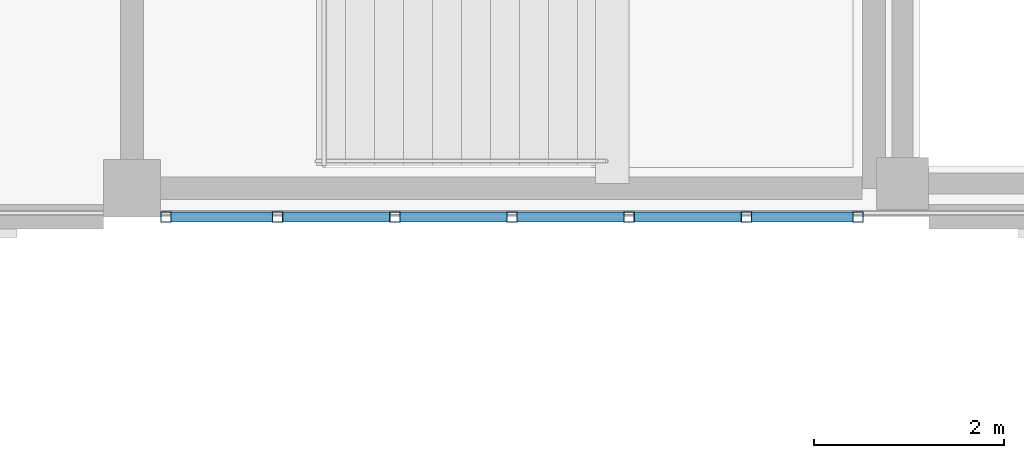
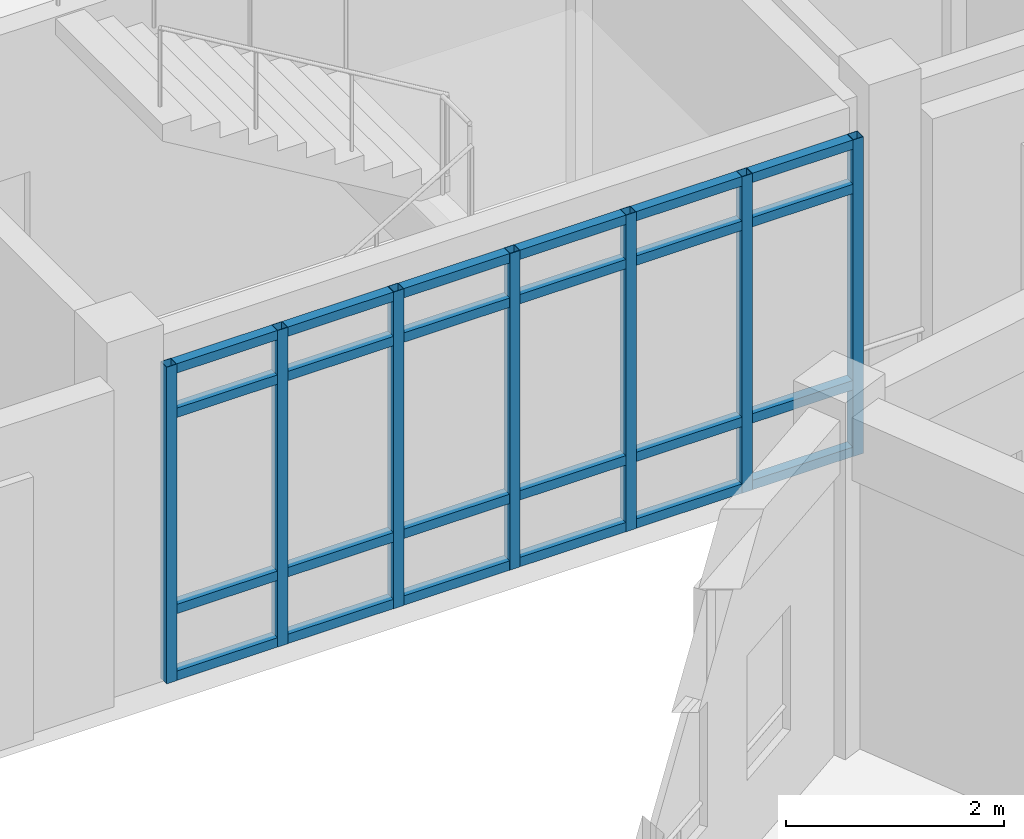
# One storey, part 20 of 159: 31 members, 1 element without a shape of its own.
"""IFC4 building model written with IfcOpenShell, lengths in metres."""

import ifcopenshell
import ifcopenshell.guid

model = None  # the IFC model being written
_history = None  # IfcOwnerHistory: only IFC2X3 demands one
_inside = {}  # id of a spatial element -> (the spatial element, [elements in it])
_under = {}  # id of a project, library or spatial element -> (it, [spatial elements below it])
_declared = {}  # id of a project -> (the project, [libraries it declares])
_typed = {}  # id of a type object -> (the type object, [elements of that type])
_made_of = {}  # id of a material, layer set ... -> (it, [elements and type objects made of it])


def new_model(schema):
    """Start an empty IFC model of exactly this schema.

    Asked for "IFC4X3", IfcOpenShell would pick the latest addendum, in which some entities
    have other attributes; the version numbers below select the first issue.
    IFC2X3 requires an IfcOwnerHistory on every rooted entity: one is made here for all.
    """
    global model, _history
    if schema == "IFC4X3":
        model = ifcopenshell.file(schema_version=(4, 3, 0, 0))
    else:
        model = ifcopenshell.file(schema=schema)
    _inside.clear()
    _under.clear()
    _declared.clear()
    _typed.clear()
    _made_of.clear()
    _history = None
    if model.schema == "IFC2X3":
        org = make("IfcOrganization", Name="unknown")
        user = make(
            "IfcPersonAndOrganization",
            ThePerson=make("IfcPerson", FamilyName="unknown"),
            TheOrganization=org,
        )
        app = make(
            "IfcApplication",
            ApplicationDeveloper=org,
            Version="unknown",
            ApplicationFullName="unknown",
            ApplicationIdentifier="unknown",
        )
        _history = make(
            "IfcOwnerHistory",
            OwningUser=user,
            OwningApplication=app,
            ChangeAction="ADDED",
            CreationDate=0,
        )
    return model


def make(cls, **values):
    """One entity of the class cls with the attributes given. An attribute that is None is left unset."""
    return model.create_entity(
        cls, **{name: value for name, value in values.items() if value is not None}
    )


def rooted(cls, **values):
    """An entity with a GlobalId (a new one), such as an element, a storey or a relation."""
    return make(cls, GlobalId=ifcopenshell.guid.new(), OwnerHistory=_history, **values)


def si_unit(unit_type, name, prefix=None):
    """IfcSIUnit, for example si_unit("LENGTHUNIT", "METRE", prefix="MILLI")."""
    return make("IfcSIUnit", UnitType=unit_type, Prefix=prefix, Name=name)


def assignment(units):
    """IfcUnitAssignment: the units of a project."""
    return None if units is None else make("IfcUnitAssignment", Units=units)


def point(xyz):
    """IfcCartesianPoint."""
    return None if xyz is None else make("IfcCartesianPoint", Coordinates=xyz)


def direction(xyz):
    """IfcDirection."""
    return None if xyz is None else make("IfcDirection", DirectionRatios=xyz)


def frame(location, z_axis=None, x_axis=None):
    """IfcAxis2Placement3D, a coordinate frame: its origin and axes. An axis left out is left unset."""
    return make(
        "IfcAxis2Placement3D",
        Location=point(location),
        Axis=direction(z_axis),
        RefDirection=direction(x_axis),
    )


def frame_2d(location, x_axis=None):
    """IfcAxis2Placement2D, a coordinate frame in the plane: its origin and x axis."""
    return make(
        "IfcAxis2Placement2D", Location=point(location), RefDirection=direction(x_axis)
    )


def origin():
    """The frame at (0, 0, 0) with its axes left unset."""
    return frame((0.0, 0.0, 0.0))


def origin_2d():
    """The frame at (0, 0) in the plane with its x axis left unset."""
    return frame_2d((0.0, 0.0))


def place(relative_to, where):
    """IfcLocalPlacement: puts the frame where relative to a parent placement (None: the world)."""
    return make(
        "IfcLocalPlacement", PlacementRelTo=relative_to, RelativePlacement=where
    )


def context(
    kind, dimensions, precision=None, world=None, true_north=None, identifier=None
):
    """IfcGeometricRepresentationContext, for example the 3D "Model" context."""
    return make(
        "IfcGeometricRepresentationContext",
        ContextIdentifier=identifier,
        ContextType=kind,
        CoordinateSpaceDimension=dimensions,
        Precision=precision,
        WorldCoordinateSystem=world,
        TrueNorth=true_north,
    )


def subcontext(parent, identifier, kind, view, scale=None):
    """IfcGeometricRepresentationSubContext, for example "Body" below "Model"."""
    return make(
        "IfcGeometricRepresentationSubContext",
        ContextIdentifier=identifier,
        ContextType=kind,
        ParentContext=parent,
        TargetScale=scale,
        TargetView=view,
    )


def project(units=None, contexts=None):
    """IfcProject with its units and contexts."""
    return rooted(
        "IfcProject",
        Name="project",
        RepresentationContexts=contexts,
        UnitsInContext=assignment(units),
    )


def spatial(cls, under=None, at=None, **own):
    """A site, building, storey or space (cls), placed at a placement, below another one or the project."""
    s = rooted(cls, ObjectPlacement=at, **own)
    if under is not None:
        _under.setdefault(under.id(), (under, []))[1].append(s)
    return s


def profile(cls, at=None, kind="AREA", **sizes):
    """A parametric profile (cls). Its sizes go by their IFC names, for example OverallWidth=200.0."""
    return make(cls, ProfileType=kind, Position=at, **sizes)


def hollow_rectangle(**sizes):
    """IfcRectangleHollowProfileDef."""
    return profile("IfcRectangleHollowProfileDef", **sizes)


def extrude(swept, where, along, depth):
    """IfcExtrudedAreaSolid: the profile swept, set in the frame where, extruded along a direction by depth."""
    return make(
        "IfcExtrudedAreaSolid",
        SweptArea=swept,
        Position=where,
        ExtrudedDirection=direction(along),
        Depth=depth,
    )


def shape(context_of_items, identifier, shape_type, items):
    """IfcShapeRepresentation: the items that make up one representation, for example the "Body"."""
    return make(
        "IfcShapeRepresentation",
        ContextOfItems=context_of_items,
        RepresentationIdentifier=identifier,
        RepresentationType=shape_type,
        Items=items,
    )


def material(Name=None, Category=None):
    """IfcMaterial."""
    return make("IfcMaterial", Name=Name, Category=Category)


def material_profile(
    of_material, cross_section, Name=None, Category=None, Priority=None
):
    """IfcMaterialProfile: a cross section and its material."""
    return make(
        "IfcMaterialProfile",
        Name=Name,
        Material=of_material,
        Profile=cross_section,
        Priority=Priority,
        Category=Category,
    )


def profile_set(profiles, Name=None, composite=None):
    """IfcMaterialProfileSet."""
    return make(
        "IfcMaterialProfileSet",
        Name=Name,
        MaterialProfiles=profiles,
        CompositeProfile=composite,
    )


def made_of(thing, what):
    """Note that an element or type object is made of a material, layer set ...; save() writes the relation."""
    if what is not None:
        _made_of.setdefault(what.id(), (what, []))[1].append(thing)
    return thing


def type_object(cls, material=None, **own):
    """A type object (cls), such as IfcWallType, which elements share."""
    return made_of(rooted(cls, **own), material)


def element(
    cls,
    number,
    at=None,
    inside=None,
    cuts=None,
    type_object=None,
    material=None,
    context=None,
    identifier="Body",
    shape_type=None,
    held_by="IfcProductDefinitionShape",
    body=None,
    shapes=None,
    **own,
):
    """One element of the class cls, such as IfcWall. Its Tag is "e" and its number.

    at: its placement. inside: the storey or other place that contains it. cuts: it is an
    opening in that element (IfcRelVoidsElement). A single representation is given by context,
    identifier, shape_type and body (its items); several are given by shapes. held_by: the class
    of the entity that holds the representations. save() writes the other relations.
    """
    e = rooted(cls, Tag="e%d" % number, ObjectPlacement=at, **own)
    if body is not None:
        shapes = [shape(context, identifier, shape_type, body)]
    if shapes is not None:
        e.Representation = make(held_by, Representations=shapes)
    if inside is not None:
        _inside.setdefault(inside.id(), (inside, []))[1].append(e)
    if cuts is not None:
        rooted(
            "IfcRelVoidsElement", RelatingBuildingElement=cuts, RelatedOpeningElement=e
        )
    if type_object is not None:
        _typed.setdefault(type_object.id(), (type_object, []))[1].append(e)
    return made_of(e, material)


def aggregate(whole, parts):
    """IfcRelAggregates: a whole, such as a stair, and the parts it consists of."""
    return rooted("IfcRelAggregates", RelatingObject=whole, RelatedObjects=parts)


def save(model, path):
    """Write the relations noted so far, then the file.

    IfcRelAggregates (storeys below a building ...), IfcRelContainedInSpatialStructure (elements
    in a storey), IfcRelDefinesByType, IfcRelAssociatesMaterial and IfcRelDeclares: one each for
    every whole, place, type object, material and project.
    """
    for whole, parts in _under.values():
        aggregate(whole, parts)
    for where, things in _inside.values():
        rooted(
            "IfcRelContainedInSpatialStructure",
            RelatedElements=things,
            RelatingStructure=where,
        )
    for kind, things in _typed.values():
        rooted("IfcRelDefinesByType", RelatedObjects=things, RelatingType=kind)
    for what, things in _made_of.values():
        rooted("IfcRelAssociatesMaterial", RelatedObjects=things, RelatingMaterial=what)
    for by, libraries in _declared.values():
        rooted("IfcRelDeclares", RelatingContext=by, RelatedDefinitions=libraries)
    model.write(path)


model = new_model("IFC4")

# Units and contexts
model_context = context("Model", 3, precision=1e-05, world=origin(), true_north=direction((0.0, 1.0)))
body_context = subcontext(model_context, "Body", "Model", "MODEL_VIEW")
ifc_project = project(units=[si_unit("LENGTHUNIT", "METRE"), si_unit("AREAUNIT", "SQUARE_METRE"), si_unit("VOLUMEUNIT", "CUBIC_METRE"), si_unit("PLANEANGLEUNIT", "RADIAN"), si_unit("MASSUNIT", "GRAM", prefix="KILO")], contexts=[model_context])

# Site, building, storey
site_placement = place(None, origin())
site = spatial("IfcSite", under=ifc_project, at=site_placement, CompositionType="ELEMENT")
building_placement = place(site_placement, origin())
building = spatial("IfcBuilding", under=site, at=building_placement, Name="Celadon Cloister-Ring School", CompositionType="ELEMENT")
storey_placement = place(building_placement, frame((0.0, 0.0, 4.5)))
storey = spatial("IfcBuildingStorey", under=building, at=storey_placement, Name="L01", CompositionType="ELEMENT", Elevation=4.5)

# Curtain wall, members
ifc_material_1 = material(Name="Aluminium EN AW-6063 T6", Category="aluminium")
curtain_wall_type = type_object("IfcCurtainWallType", Name="CW-13", PredefinedType="USERDEFINED", material=ifc_material_1)
curtain_wall_placement = place(storey_placement, origin())
curtain_wall = element("IfcCurtainWall", 1, at=curtain_wall_placement, inside=storey, type_object=curtain_wall_type, Name="Curtain Wall 0198", ObjectType="CURTAIN WALL", PredefinedType="USERDEFINED")
ifc_material_2 = material(Name="Aluminium EN AW-6063 T6", Category="aluminium")
ifc_material_profile_1 = material_profile(ifc_material_2, hollow_rectangle(XDim=0.110107421875, YDim=0.110107421875, WallThickness=0.0048828125, at=origin_2d()), Name="RHS110X110X5")
ifc_profile_set_1 = profile_set([ifc_material_profile_1], Name="Aluminium EN AW-6063 T6")
member_type_1 = type_object("IfcMemberType", Name="CM-01", PredefinedType="MULLION", material=ifc_profile_set_1)
member_1_placement = place(storey_placement, frame((15.885009765625, 40.0, 0.0), z_axis=(0.0, 0.0, 1.0), x_axis=(0.0, -1.0, 0.0)))
member_1 = element("IfcMember", 2, at=member_1_placement, type_object=member_type_1, Name="CW-13 mullion 1", PredefinedType="MULLION", context=body_context, shape_type="SweptSolid", body=[
    extrude(hollow_rectangle(XDim=0.110107421875, YDim=0.110107421875, WallThickness=0.0048828125, at=origin_2d()), origin(), (0.0, 0.0, 1.0), 3.550048828125),
])
member_2_placement = place(storey_placement, frame((14.708251953125, 40.0, 0.0), z_axis=(0.0, 0.0, 1.0), x_axis=(0.0, -1.0, 0.0)))
member_2 = element("IfcMember", 3, at=member_2_placement, type_object=member_type_1, Name="CW-13 mullion 2", PredefinedType="MULLION", context=body_context, shape_type="SweptSolid", body=[
    extrude(hollow_rectangle(XDim=0.110107421875, YDim=0.110107421875, WallThickness=0.0048828125, at=origin_2d()), origin(), (0.0, 0.0, 1.0), 3.550048828125),
])
member_3_placement = place(storey_placement, frame((13.4765625, 40.0, 0.0), z_axis=(0.0, 0.0, 1.0), x_axis=(0.0, -1.0, 0.0)))
member_3 = element("IfcMember", 4, at=member_3_placement, type_object=member_type_1, Name="CW-13 mullion 3", PredefinedType="MULLION", context=body_context, shape_type="SweptSolid", body=[
    extrude(hollow_rectangle(XDim=0.110107421875, YDim=0.110107421875, WallThickness=0.0048828125, at=origin_2d()), origin(), (0.0, 0.0, 1.0), 3.550048828125),
])
member_4_placement = place(storey_placement, frame((12.2451171875, 40.0, 0.0), z_axis=(0.0, 0.0, 1.0), x_axis=(0.0, -1.0, 0.0)))
member_4 = element("IfcMember", 5, at=member_4_placement, type_object=member_type_1, Name="CW-13 mullion 4", PredefinedType="MULLION", context=body_context, shape_type="SweptSolid", body=[
    extrude(hollow_rectangle(XDim=0.110107421875, YDim=0.110107421875, WallThickness=0.0048828125, at=origin_2d()), origin(), (0.0, 0.0, 1.0), 3.550048828125),
])
member_5_placement = place(storey_placement, frame((11.013427734375, 40.0, 0.0), z_axis=(0.0, 0.0, 1.0), x_axis=(0.0, -1.0, 0.0)))
member_5 = element("IfcMember", 6, at=member_5_placement, type_object=member_type_1, Name="CW-13 mullion 5", PredefinedType="MULLION", context=body_context, shape_type="SweptSolid", body=[
    extrude(hollow_rectangle(XDim=0.110107421875, YDim=0.110107421875, WallThickness=0.0048828125, at=origin_2d()), origin(), (0.0, 0.0, 1.0), 3.550048828125),
])
member_6_placement = place(storey_placement, frame((9.78173828125, 40.0, 0.0), z_axis=(0.0, 0.0, 1.0), x_axis=(0.0, -1.0, 0.0)))
member_6 = element("IfcMember", 7, at=member_6_placement, type_object=member_type_1, Name="CW-13 mullion 6", PredefinedType="MULLION", context=body_context, shape_type="SweptSolid", body=[
    extrude(hollow_rectangle(XDim=0.110107421875, YDim=0.110107421875, WallThickness=0.0048828125, at=origin_2d()), origin(), (0.0, 0.0, 1.0), 3.550048828125),
])
member_7_placement = place(storey_placement, frame((8.60498046875, 40.0, 0.0), z_axis=(0.0, 0.0, 1.0), x_axis=(0.0, -1.0, 0.0)))
member_7 = element("IfcMember", 8, at=member_7_placement, type_object=member_type_1, Name="CW-13 mullion 7", PredefinedType="MULLION", context=body_context, shape_type="SweptSolid", body=[
    extrude(hollow_rectangle(XDim=0.110107421875, YDim=0.110107421875, WallThickness=0.0048828125, at=origin_2d()), origin(), (0.0, 0.0, 1.0), 3.550048828125),
])
ifc_material_3 = material(Name="Aluminium EN AW-6063 T6", Category="aluminium")
ifc_material_profile_2 = material_profile(ifc_material_3, hollow_rectangle(XDim=0.10498046875, YDim=0.10498046875, WallThickness=0.0048828125, at=origin_2d()), Name="RHS105X105X5")
ifc_profile_set_2 = profile_set([ifc_material_profile_2], Name="Aluminium EN AW-6063 T6")
member_type_2 = type_object("IfcMemberType", Name="CTM-01", PredefinedType="USERDEFINED", material=ifc_profile_set_2)
member_8_placement = place(storey_placement, frame((15.830078125, 40.0, 0.052490234375), z_axis=(-1.0, 0.0, 0.0), x_axis=(0.0, -1.0, 0.0)))
member_8 = element("IfcMember", 9, at=member_8_placement, type_object=member_type_2, Name="CW-13 transom 1.1", ObjectType="TRANSOM", PredefinedType="USERDEFINED", context=body_context, shape_type="SweptSolid", body=[
    extrude(hollow_rectangle(XDim=0.10498046875, YDim=0.10498046875, WallThickness=0.0048828125, at=origin_2d()), origin(), (0.0, 0.0, 1.0), 1.066650390625),
])
member_9_placement = place(storey_placement, frame((15.830078125, 40.0, 0.800048828125), z_axis=(-1.0, 0.0, 0.0), x_axis=(0.0, -1.0, 0.0)))
member_9 = element("IfcMember", 10, at=member_9_placement, type_object=member_type_2, Name="CW-13 transom 1.2", ObjectType="TRANSOM", PredefinedType="USERDEFINED", context=body_context, shape_type="SweptSolid", body=[
    extrude(hollow_rectangle(XDim=0.10498046875, YDim=0.10498046875, WallThickness=0.0048828125, at=origin_2d()), origin(), (0.0, 0.0, 1.0), 1.066650390625),
])
member_10_placement = place(storey_placement, frame((15.830078125, 40.0, 3.0), z_axis=(-1.0, 0.0, 0.0), x_axis=(0.0, -1.0, 0.0)))
member_10 = element("IfcMember", 11, at=member_10_placement, type_object=member_type_2, Name="CW-13 transom 1.3", ObjectType="TRANSOM", PredefinedType="USERDEFINED", context=body_context, shape_type="SweptSolid", body=[
    extrude(hollow_rectangle(XDim=0.10498046875, YDim=0.10498046875, WallThickness=0.0048828125, at=origin_2d()), origin(), (0.0, 0.0, 1.0), 1.066650390625),
])
member_11_placement = place(storey_placement, frame((15.830078125, 40.0, 3.49755859375), z_axis=(-1.0, 0.0, 0.0), x_axis=(0.0, -1.0, 0.0)))
member_11 = element("IfcMember", 12, at=member_11_placement, type_object=member_type_2, Name="CW-13 transom 1.4", ObjectType="TRANSOM", PredefinedType="USERDEFINED", context=body_context, shape_type="SweptSolid", body=[
    extrude(hollow_rectangle(XDim=0.10498046875, YDim=0.10498046875, WallThickness=0.0048828125, at=origin_2d()), origin(), (0.0, 0.0, 1.0), 1.066650390625),
])
member_12_placement = place(storey_placement, frame((14.6533203125, 40.0, 0.052490234375), z_axis=(-1.0, 0.0, 0.0), x_axis=(0.0, -1.0, 0.0)))
member_12 = element("IfcMember", 13, at=member_12_placement, type_object=member_type_2, Name="CW-13 transom 2.1", ObjectType="TRANSOM", PredefinedType="USERDEFINED", context=body_context, shape_type="SweptSolid", body=[
    extrude(hollow_rectangle(XDim=0.10498046875, YDim=0.10498046875, WallThickness=0.0048828125, at=origin_2d()), origin(), (0.0, 0.0, 1.0), 1.12158203125),
])
member_13_placement = place(storey_placement, frame((14.6533203125, 40.0, 0.800048828125), z_axis=(-1.0, 0.0, 0.0), x_axis=(0.0, -1.0, 0.0)))
member_13 = element("IfcMember", 14, at=member_13_placement, type_object=member_type_2, Name="CW-13 transom 2.2", ObjectType="TRANSOM", PredefinedType="USERDEFINED", context=body_context, shape_type="SweptSolid", body=[
    extrude(hollow_rectangle(XDim=0.10498046875, YDim=0.10498046875, WallThickness=0.0048828125, at=origin_2d()), origin(), (0.0, 0.0, 1.0), 1.12158203125),
])
member_14_placement = place(storey_placement, frame((14.6533203125, 40.0, 3.0), z_axis=(-1.0, 0.0, 0.0), x_axis=(0.0, -1.0, 0.0)))
member_14 = element("IfcMember", 15, at=member_14_placement, type_object=member_type_2, Name="CW-13 transom 2.3", ObjectType="TRANSOM", PredefinedType="USERDEFINED", context=body_context, shape_type="SweptSolid", body=[
    extrude(hollow_rectangle(XDim=0.10498046875, YDim=0.10498046875, WallThickness=0.0048828125, at=origin_2d()), origin(), (0.0, 0.0, 1.0), 1.12158203125),
])
member_15_placement = place(storey_placement, frame((14.6533203125, 40.0, 3.49755859375), z_axis=(-1.0, 0.0, 0.0), x_axis=(0.0, -1.0, 0.0)))
member_15 = element("IfcMember", 16, at=member_15_placement, type_object=member_type_2, Name="CW-13 transom 2.4", ObjectType="TRANSOM", PredefinedType="USERDEFINED", context=body_context, shape_type="SweptSolid", body=[
    extrude(hollow_rectangle(XDim=0.10498046875, YDim=0.10498046875, WallThickness=0.0048828125, at=origin_2d()), origin(), (0.0, 0.0, 1.0), 1.12158203125),
])
member_16_placement = place(storey_placement, frame((13.421630859375, 40.0, 0.052490234375), z_axis=(-1.0, 0.0, 0.0), x_axis=(0.0, -1.0, 0.0)))
member_16 = element("IfcMember", 17, at=member_16_placement, type_object=member_type_2, Name="CW-13 transom 3.1", ObjectType="TRANSOM", PredefinedType="USERDEFINED", context=body_context, shape_type="SweptSolid", body=[
    extrude(hollow_rectangle(XDim=0.10498046875, YDim=0.10498046875, WallThickness=0.0048828125, at=origin_2d()), origin(), (0.0, 0.0, 1.0), 1.12158203125),
])
member_17_placement = place(storey_placement, frame((13.421630859375, 40.0, 0.800048828125), z_axis=(-1.0, 0.0, 0.0), x_axis=(0.0, -1.0, 0.0)))
member_17 = element("IfcMember", 18, at=member_17_placement, type_object=member_type_2, Name="CW-13 transom 3.2", ObjectType="TRANSOM", PredefinedType="USERDEFINED", context=body_context, shape_type="SweptSolid", body=[
    extrude(hollow_rectangle(XDim=0.10498046875, YDim=0.10498046875, WallThickness=0.0048828125, at=origin_2d()), origin(), (0.0, 0.0, 1.0), 1.12158203125),
])
member_18_placement = place(storey_placement, frame((13.421630859375, 40.0, 3.0), z_axis=(-1.0, 0.0, 0.0), x_axis=(0.0, -1.0, 0.0)))
member_18 = element("IfcMember", 19, at=member_18_placement, type_object=member_type_2, Name="CW-13 transom 3.3", ObjectType="TRANSOM", PredefinedType="USERDEFINED", context=body_context, shape_type="SweptSolid", body=[
    extrude(hollow_rectangle(XDim=0.10498046875, YDim=0.10498046875, WallThickness=0.0048828125, at=origin_2d()), origin(), (0.0, 0.0, 1.0), 1.12158203125),
])
member_19_placement = place(storey_placement, frame((13.421630859375, 40.0, 3.49755859375), z_axis=(-1.0, 0.0, 0.0), x_axis=(0.0, -1.0, 0.0)))
member_19 = element("IfcMember", 20, at=member_19_placement, type_object=member_type_2, Name="CW-13 transom 3.4", ObjectType="TRANSOM", PredefinedType="USERDEFINED", context=body_context, shape_type="SweptSolid", body=[
    extrude(hollow_rectangle(XDim=0.10498046875, YDim=0.10498046875, WallThickness=0.0048828125, at=origin_2d()), origin(), (0.0, 0.0, 1.0), 1.12158203125),
])
member_20_placement = place(storey_placement, frame((12.18994140625, 40.0, 0.052490234375), z_axis=(-1.0, 0.0, 0.0), x_axis=(0.0, -1.0, 0.0)))
member_20 = element("IfcMember", 21, at=member_20_placement, type_object=member_type_2, Name="CW-13 transom 4.1", ObjectType="TRANSOM", PredefinedType="USERDEFINED", context=body_context, shape_type="SweptSolid", body=[
    extrude(hollow_rectangle(XDim=0.10498046875, YDim=0.10498046875, WallThickness=0.0048828125, at=origin_2d()), origin(), (0.0, 0.0, 1.0), 1.12158203125),
])
member_21_placement = place(storey_placement, frame((12.18994140625, 40.0, 0.800048828125), z_axis=(-1.0, 0.0, 0.0), x_axis=(0.0, -1.0, 0.0)))
member_21 = element("IfcMember", 22, at=member_21_placement, type_object=member_type_2, Name="CW-13 transom 4.2", ObjectType="TRANSOM", PredefinedType="USERDEFINED", context=body_context, shape_type="SweptSolid", body=[
    extrude(hollow_rectangle(XDim=0.10498046875, YDim=0.10498046875, WallThickness=0.0048828125, at=origin_2d()), origin(), (0.0, 0.0, 1.0), 1.12158203125),
])
member_22_placement = place(storey_placement, frame((12.18994140625, 40.0, 3.0), z_axis=(-1.0, 0.0, 0.0), x_axis=(0.0, -1.0, 0.0)))
member_22 = element("IfcMember", 23, at=member_22_placement, type_object=member_type_2, Name="CW-13 transom 4.3", ObjectType="TRANSOM", PredefinedType="USERDEFINED", context=body_context, shape_type="SweptSolid", body=[
    extrude(hollow_rectangle(XDim=0.10498046875, YDim=0.10498046875, WallThickness=0.0048828125, at=origin_2d()), origin(), (0.0, 0.0, 1.0), 1.12158203125),
])
member_23_placement = place(storey_placement, frame((12.18994140625, 40.0, 3.49755859375), z_axis=(-1.0, 0.0, 0.0), x_axis=(0.0, -1.0, 0.0)))
member_23 = element("IfcMember", 24, at=member_23_placement, type_object=member_type_2, Name="CW-13 transom 4.4", ObjectType="TRANSOM", PredefinedType="USERDEFINED", context=body_context, shape_type="SweptSolid", body=[
    extrude(hollow_rectangle(XDim=0.10498046875, YDim=0.10498046875, WallThickness=0.0048828125, at=origin_2d()), origin(), (0.0, 0.0, 1.0), 1.12158203125),
])
member_24_placement = place(storey_placement, frame((10.958251953125, 40.0, 0.052490234375), z_axis=(-1.0, 0.0, 0.0), x_axis=(0.0, -1.0, 0.0)))
member_24 = element("IfcMember", 25, at=member_24_placement, type_object=member_type_2, Name="CW-13 transom 5.1", ObjectType="TRANSOM", PredefinedType="USERDEFINED", context=body_context, shape_type="SweptSolid", body=[
    extrude(hollow_rectangle(XDim=0.10498046875, YDim=0.10498046875, WallThickness=0.0048828125, at=origin_2d()), origin(), (0.0, 0.0, 1.0), 1.12158203125),
])
member_25_placement = place(storey_placement, frame((10.958251953125, 40.0, 0.800048828125), z_axis=(-1.0, 0.0, 0.0), x_axis=(0.0, -1.0, 0.0)))
member_25 = element("IfcMember", 26, at=member_25_placement, type_object=member_type_2, Name="CW-13 transom 5.2", ObjectType="TRANSOM", PredefinedType="USERDEFINED", context=body_context, shape_type="SweptSolid", body=[
    extrude(hollow_rectangle(XDim=0.10498046875, YDim=0.10498046875, WallThickness=0.0048828125, at=origin_2d()), origin(), (0.0, 0.0, 1.0), 1.12158203125),
])
member_26_placement = place(storey_placement, frame((10.958251953125, 40.0, 3.0), z_axis=(-1.0, 0.0, 0.0), x_axis=(0.0, -1.0, 0.0)))
member_26 = element("IfcMember", 27, at=member_26_placement, type_object=member_type_2, Name="CW-13 transom 5.3", ObjectType="TRANSOM", PredefinedType="USERDEFINED", context=body_context, shape_type="SweptSolid", body=[
    extrude(hollow_rectangle(XDim=0.10498046875, YDim=0.10498046875, WallThickness=0.0048828125, at=origin_2d()), origin(), (0.0, 0.0, 1.0), 1.12158203125),
])
member_27_placement = place(storey_placement, frame((10.958251953125, 40.0, 3.49755859375), z_axis=(-1.0, 0.0, 0.0), x_axis=(0.0, -1.0, 0.0)))
member_27 = element("IfcMember", 28, at=member_27_placement, type_object=member_type_2, Name="CW-13 transom 5.4", ObjectType="TRANSOM", PredefinedType="USERDEFINED", context=body_context, shape_type="SweptSolid", body=[
    extrude(hollow_rectangle(XDim=0.10498046875, YDim=0.10498046875, WallThickness=0.0048828125, at=origin_2d()), origin(), (0.0, 0.0, 1.0), 1.12158203125),
])
member_28_placement = place(storey_placement, frame((9.7265625, 40.0, 0.052490234375), z_axis=(-1.0, 0.0, 0.0), x_axis=(0.0, -1.0, 0.0)))
member_28 = element("IfcMember", 29, at=member_28_placement, type_object=member_type_2, Name="CW-13 transom 6.1", ObjectType="TRANSOM", PredefinedType="USERDEFINED", context=body_context, shape_type="SweptSolid", body=[
    extrude(hollow_rectangle(XDim=0.10498046875, YDim=0.10498046875, WallThickness=0.0048828125, at=origin_2d()), origin(), (0.0, 0.0, 1.0), 1.066650390625),
])
member_29_placement = place(storey_placement, frame((9.7265625, 40.0, 0.800048828125), z_axis=(-1.0, 0.0, 0.0), x_axis=(0.0, -1.0, 0.0)))
member_29 = element("IfcMember", 30, at=member_29_placement, type_object=member_type_2, Name="CW-13 transom 6.2", ObjectType="TRANSOM", PredefinedType="USERDEFINED", context=body_context, shape_type="SweptSolid", body=[
    extrude(hollow_rectangle(XDim=0.10498046875, YDim=0.10498046875, WallThickness=0.0048828125, at=origin_2d()), origin(), (0.0, 0.0, 1.0), 1.066650390625),
])
member_30_placement = place(storey_placement, frame((9.7265625, 40.0, 3.0), z_axis=(-1.0, 0.0, 0.0), x_axis=(0.0, -1.0, 0.0)))
member_30 = element("IfcMember", 31, at=member_30_placement, type_object=member_type_2, Name="CW-13 transom 6.3", ObjectType="TRANSOM", PredefinedType="USERDEFINED", context=body_context, shape_type="SweptSolid", body=[
    extrude(hollow_rectangle(XDim=0.10498046875, YDim=0.10498046875, WallThickness=0.0048828125, at=origin_2d()), origin(), (0.0, 0.0, 1.0), 1.066650390625),
])
member_31_placement = place(storey_placement, frame((9.7265625, 40.0, 3.49755859375), z_axis=(-1.0, 0.0, 0.0), x_axis=(0.0, -1.0, 0.0)))
member_31 = element("IfcMember", 32, at=member_31_placement, type_object=member_type_2, Name="CW-13 transom 6.4", ObjectType="TRANSOM", PredefinedType="USERDEFINED", context=body_context, shape_type="SweptSolid", body=[
    extrude(hollow_rectangle(XDim=0.10498046875, YDim=0.10498046875, WallThickness=0.0048828125, at=origin_2d()), origin(), (0.0, 0.0, 1.0), 1.066650390625),
])
aggregate(curtain_wall, [member_1, member_2, member_3, member_4, member_5, member_6, member_7, member_8, member_9, member_10, member_11, member_12, member_13, member_14, member_15, member_16, member_17, member_18, member_19, member_20, member_21, member_22, member_23, member_24, member_25, member_26, member_27, member_28, member_29, member_30, member_31])

save(model, "model.ifc")
